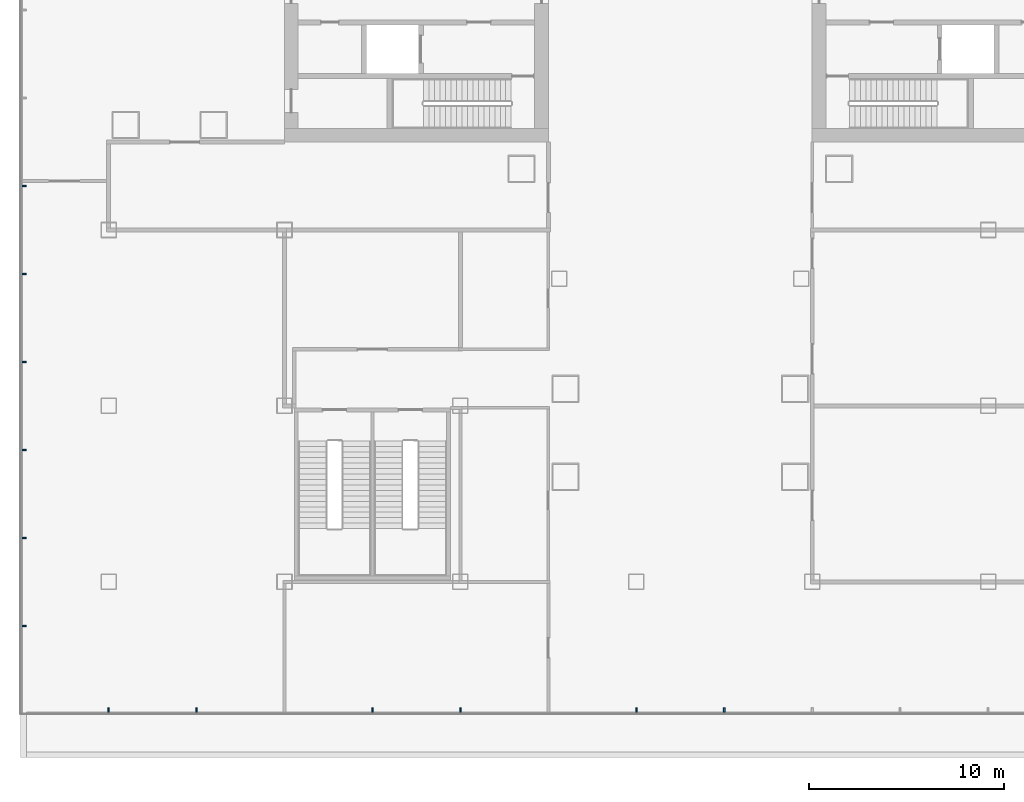
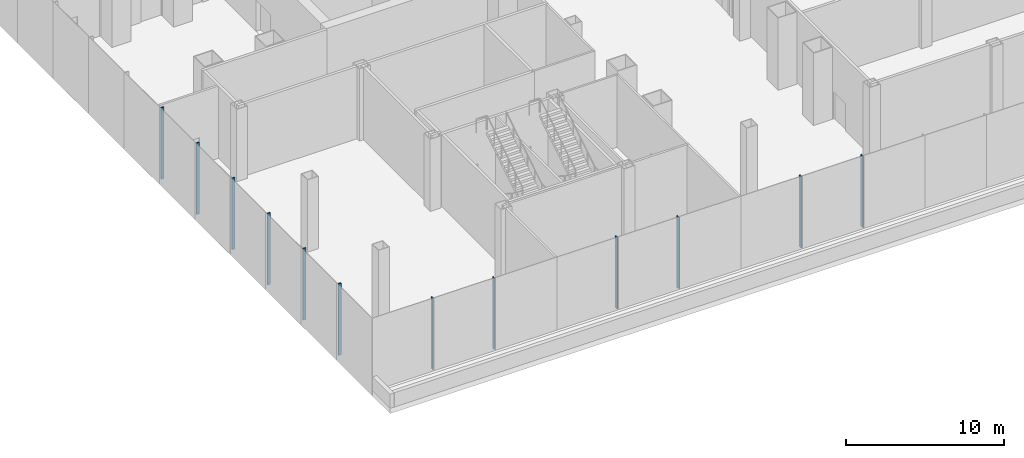
# One storey, part 3 of 38: 12 members, 2 elements without a shape of their own.
"""IFC4 building model written with IfcOpenShell, lengths in metres."""

from ifc_helpers import new_model, si_unit, direction, frame, origin, origin_2d, place, context, subcontext, project, spatial, rectangle, extrude, material, layer, layer_set, material_profile, profile_set, type_object, element, aggregate, save


model = new_model("IFC4")

# Units and contexts
model_context = context("Model", 3, precision=1e-05, world=origin(), true_north=direction((0.0, 1.0)))
body_context = subcontext(model_context, "Body", "Model", "MODEL_VIEW")
ifc_project = project(units=[si_unit("LENGTHUNIT", "METRE"), si_unit("AREAUNIT", "SQUARE_METRE"), si_unit("VOLUMEUNIT", "CUBIC_METRE"), si_unit("PLANEANGLEUNIT", "RADIAN"), si_unit("MASSUNIT", "GRAM", prefix="KILO")], contexts=[model_context])

# Site, building, storey
site_placement = place(None, origin())
site = spatial("IfcSite", under=ifc_project, at=site_placement, CompositionType="ELEMENT")
building_placement = place(site_placement, origin())
building = spatial("IfcBuilding", under=site, at=building_placement, Name="Shamsa Quay Exchange Towers", CompositionType="ELEMENT")
storey_placement = place(building_placement, frame((0.0, 0.0, 12.5)))
storey = spatial("IfcBuildingStorey", under=building, at=storey_placement, Name="L02", CompositionType="ELEMENT", Elevation=12.5)

# Curtain wall, members
ifc_material = material(Name="Aluminium EN AW-6063 T6, black anodised", Category="aluminium")
ifc_layer = layer(ifc_material, 0.33203125)
ifc_layer_set = layer_set([ifc_layer], Name="CW-3 PODIUM SHOPFRONT GLAZING")
curtain_wall_type = type_object("IfcCurtainWallType", Name="CW-3 PODIUM SHOPFRONT GLAZING", PredefinedType="NOTDEFINED", material=ifc_layer_set)
curtain_wall_1_placement = place(storey_placement, origin())
curtain_wall_1 = element("IfcCurtainWall", 1, at=curtain_wall_1_placement, inside=storey, type_object=curtain_wall_type, Name="CW3 PODIUM-L02-F02", PredefinedType="NOTDEFINED")
ifc_material_profile = material_profile(ifc_material, rectangle(XDim=0.219970703125, YDim=0.080078125, at=origin_2d()), Name="MU80x220")
ifc_profile_set = profile_set([ifc_material_profile], Name="Aluminium EN AW-6063 T6, black anodised")
member_type = type_object("IfcMemberType", Name="CW3 MULLION 80x220", PredefinedType="MULLION", material=ifc_profile_set)
member_1_placement = place(storey_placement, frame((-67.31005859375, -9.0, 0.0)))
member_1 = element("IfcMember", 2, at=member_1_placement, type_object=member_type, Name="CW3 mullion", PredefinedType="MULLION", context=body_context, shape_type="SweptSolid", body=[
    extrude(rectangle(XDim=0.219970703125, YDim=0.080078125, at=origin_2d()), origin(), (0.0, 0.0, 1.0), 5.550048828125),
])
member_2_placement = place(storey_placement, frame((-67.31005859375, -13.5, 0.0)))
member_2 = element("IfcMember", 3, at=member_2_placement, type_object=member_type, Name="CW3 mullion", PredefinedType="MULLION", context=body_context, shape_type="SweptSolid", body=[
    extrude(rectangle(XDim=0.219970703125, YDim=0.080078125, at=origin_2d()), origin(), (0.0, 0.0, 1.0), 5.550048828125),
])
member_3_placement = place(storey_placement, frame((-67.31005859375, -18.0, 0.0)))
member_3 = element("IfcMember", 4, at=member_3_placement, type_object=member_type, Name="CW3 mullion", PredefinedType="MULLION", context=body_context, shape_type="SweptSolid", body=[
    extrude(rectangle(XDim=0.219970703125, YDim=0.080078125, at=origin_2d()), origin(), (0.0, 0.0, 1.0), 5.550048828125),
])
member_4_placement = place(storey_placement, frame((-67.31005859375, -22.5, 0.0)))
member_4 = element("IfcMember", 5, at=member_4_placement, type_object=member_type, Name="CW3 mullion", PredefinedType="MULLION", context=body_context, shape_type="SweptSolid", body=[
    extrude(rectangle(XDim=0.219970703125, YDim=0.080078125, at=origin_2d()), origin(), (0.0, 0.0, 1.0), 5.550048828125),
])
member_5_placement = place(storey_placement, frame((-67.31005859375, -27.0, 0.0)))
member_5 = element("IfcMember", 6, at=member_5_placement, type_object=member_type, Name="CW3 mullion", PredefinedType="MULLION", context=body_context, shape_type="SweptSolid", body=[
    extrude(rectangle(XDim=0.219970703125, YDim=0.080078125, at=origin_2d()), origin(), (0.0, 0.0, 1.0), 5.550048828125),
])
member_6_placement = place(storey_placement, frame((-67.31005859375, -31.5, 0.0)))
member_6 = element("IfcMember", 7, at=member_6_placement, type_object=member_type, Name="CW3 mullion", PredefinedType="MULLION", context=body_context, shape_type="SweptSolid", body=[
    extrude(rectangle(XDim=0.219970703125, YDim=0.080078125, at=origin_2d()), origin(), (0.0, 0.0, 1.0), 5.550048828125),
])
aggregate(curtain_wall_1, [member_1, member_2, member_3, member_4, member_5, member_6])

curtain_wall_2_placement = place(storey_placement, origin())
curtain_wall_2 = element("IfcCurtainWall", 8, at=curtain_wall_2_placement, inside=storey, type_object=curtain_wall_type, Name="CW3 PODIUM-L02-F03", PredefinedType="NOTDEFINED")
member_7_placement = place(storey_placement, frame((-63.0, -35.81005859375, 0.0), z_axis=(0.0, 0.0, 1.0), x_axis=(0.0, 1.0, 0.0)))
member_7 = element("IfcMember", 9, at=member_7_placement, type_object=member_type, Name="CW3 mullion", PredefinedType="MULLION", context=body_context, shape_type="SweptSolid", body=[
    extrude(rectangle(XDim=0.219970703125, YDim=0.080078125, at=origin_2d()), origin(), (0.0, 0.0, 1.0), 5.550048828125),
])
member_8_placement = place(storey_placement, frame((-58.5, -35.81005859375, 0.0), z_axis=(0.0, 0.0, 1.0), x_axis=(0.0, 1.0, 0.0)))
member_8 = element("IfcMember", 10, at=member_8_placement, type_object=member_type, Name="CW3 mullion", PredefinedType="MULLION", context=body_context, shape_type="SweptSolid", body=[
    extrude(rectangle(XDim=0.219970703125, YDim=0.080078125, at=origin_2d()), origin(), (0.0, 0.0, 1.0), 5.550048828125),
])
member_9_placement = place(storey_placement, frame((-49.5, -35.81005859375, 0.0), z_axis=(0.0, 0.0, 1.0), x_axis=(0.0, 1.0, 0.0)))
member_9 = element("IfcMember", 11, at=member_9_placement, type_object=member_type, Name="CW3 mullion", PredefinedType="MULLION", context=body_context, shape_type="SweptSolid", body=[
    extrude(rectangle(XDim=0.219970703125, YDim=0.080078125, at=origin_2d()), origin(), (0.0, 0.0, 1.0), 5.550048828125),
])
member_10_placement = place(storey_placement, frame((-45.0, -35.81005859375, 0.0), z_axis=(0.0, 0.0, 1.0), x_axis=(0.0, 1.0, 0.0)))
member_10 = element("IfcMember", 12, at=member_10_placement, type_object=member_type, Name="CW3 mullion", PredefinedType="MULLION", context=body_context, shape_type="SweptSolid", body=[
    extrude(rectangle(XDim=0.219970703125, YDim=0.080078125, at=origin_2d()), origin(), (0.0, 0.0, 1.0), 5.550048828125),
])
member_11_placement = place(storey_placement, frame((-36.0, -35.81005859375, 0.0), z_axis=(0.0, 0.0, 1.0), x_axis=(0.0, 1.0, 0.0)))
member_11 = element("IfcMember", 13, at=member_11_placement, type_object=member_type, Name="CW3 mullion", PredefinedType="MULLION", context=body_context, shape_type="SweptSolid", body=[
    extrude(rectangle(XDim=0.219970703125, YDim=0.080078125, at=origin_2d()), origin(), (0.0, 0.0, 1.0), 5.550048828125),
])
member_12_placement = place(storey_placement, frame((-31.5, -35.81005859375, 0.0), z_axis=(0.0, 0.0, 1.0), x_axis=(0.0, 1.0, 0.0)))
member_12 = element("IfcMember", 14, at=member_12_placement, type_object=member_type, Name="CW3 mullion", PredefinedType="MULLION", context=body_context, shape_type="SweptSolid", body=[
    extrude(rectangle(XDim=0.219970703125, YDim=0.080078125, at=origin_2d()), origin(), (0.0, 0.0, 1.0), 5.550048828125),
])
aggregate(curtain_wall_2, [member_7, member_8, member_9, member_10, member_11, member_12])

save(model, "model.ifc")
